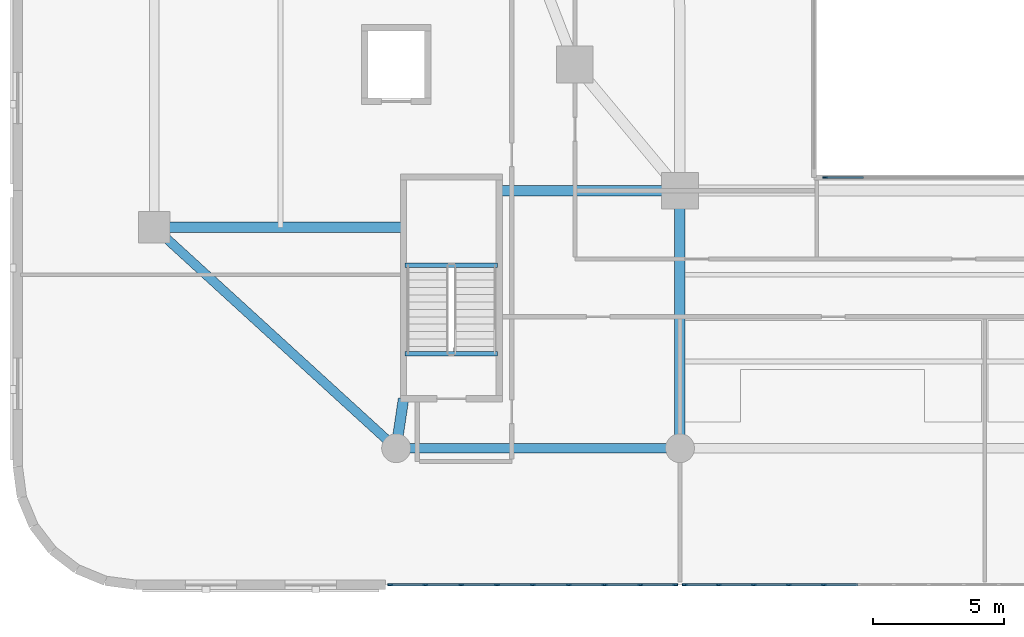
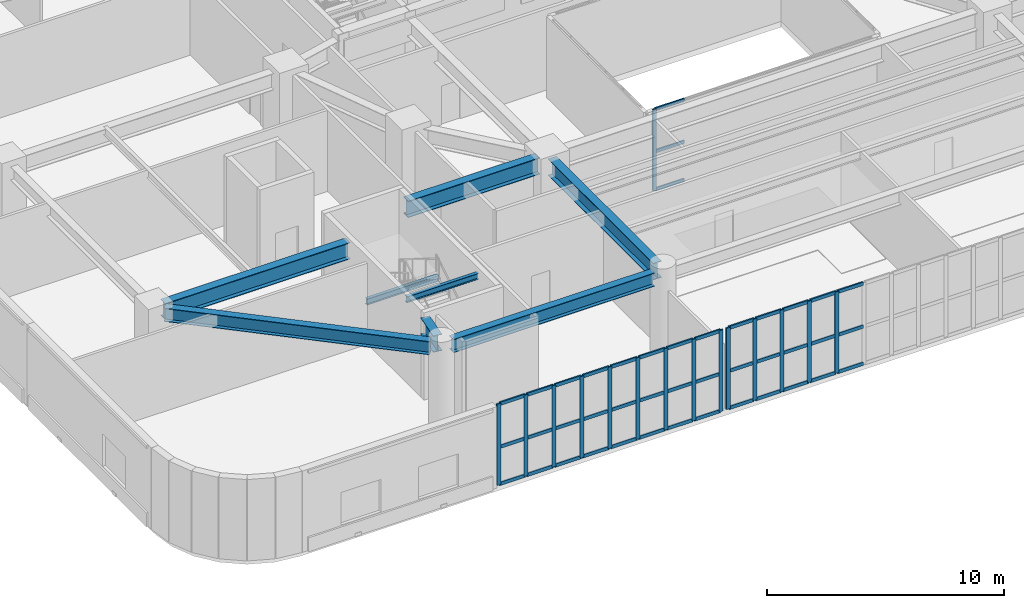
# One storey, part 3 of 25: 57 members, 8 beams, 3 elements without a shape of their own.
"""IFC4 building model written with IfcOpenShell, lengths in metres."""

import ifcopenshell
import ifcopenshell.guid

model = None  # the IFC model being written
_history = None  # IfcOwnerHistory: only IFC2X3 demands one
_inside = {}  # id of a spatial element -> (the spatial element, [elements in it])
_under = {}  # id of a project, library or spatial element -> (it, [spatial elements below it])
_declared = {}  # id of a project -> (the project, [libraries it declares])
_typed = {}  # id of a type object -> (the type object, [elements of that type])
_made_of = {}  # id of a material, layer set ... -> (it, [elements and type objects made of it])


def new_model(schema):
    """Start an empty IFC model of exactly this schema.

    Asked for "IFC4X3", IfcOpenShell would pick the latest addendum, in which some entities
    have other attributes; the version numbers below select the first issue.
    IFC2X3 requires an IfcOwnerHistory on every rooted entity: one is made here for all.
    """
    global model, _history
    if schema == "IFC4X3":
        model = ifcopenshell.file(schema_version=(4, 3, 0, 0))
    else:
        model = ifcopenshell.file(schema=schema)
    _inside.clear()
    _under.clear()
    _declared.clear()
    _typed.clear()
    _made_of.clear()
    _history = None
    if model.schema == "IFC2X3":
        org = make("IfcOrganization", Name="unknown")
        user = make(
            "IfcPersonAndOrganization",
            ThePerson=make("IfcPerson", FamilyName="unknown"),
            TheOrganization=org,
        )
        app = make(
            "IfcApplication",
            ApplicationDeveloper=org,
            Version="unknown",
            ApplicationFullName="unknown",
            ApplicationIdentifier="unknown",
        )
        _history = make(
            "IfcOwnerHistory",
            OwningUser=user,
            OwningApplication=app,
            ChangeAction="ADDED",
            CreationDate=0,
        )
    return model


def make(cls, **values):
    """One entity of the class cls with the attributes given. An attribute that is None is left unset."""
    return model.create_entity(
        cls, **{name: value for name, value in values.items() if value is not None}
    )


def rooted(cls, **values):
    """An entity with a GlobalId (a new one), such as an element, a storey or a relation."""
    return make(cls, GlobalId=ifcopenshell.guid.new(), OwnerHistory=_history, **values)


def si_unit(unit_type, name, prefix=None):
    """IfcSIUnit, for example si_unit("LENGTHUNIT", "METRE", prefix="MILLI")."""
    return make("IfcSIUnit", UnitType=unit_type, Prefix=prefix, Name=name)


def assignment(units):
    """IfcUnitAssignment: the units of a project."""
    return None if units is None else make("IfcUnitAssignment", Units=units)


def point(xyz):
    """IfcCartesianPoint."""
    return None if xyz is None else make("IfcCartesianPoint", Coordinates=xyz)


def direction(xyz):
    """IfcDirection."""
    return None if xyz is None else make("IfcDirection", DirectionRatios=xyz)


def frame(location, z_axis=None, x_axis=None):
    """IfcAxis2Placement3D, a coordinate frame: its origin and axes. An axis left out is left unset."""
    return make(
        "IfcAxis2Placement3D",
        Location=point(location),
        Axis=direction(z_axis),
        RefDirection=direction(x_axis),
    )


def frame_2d(location, x_axis=None):
    """IfcAxis2Placement2D, a coordinate frame in the plane: its origin and x axis."""
    return make(
        "IfcAxis2Placement2D", Location=point(location), RefDirection=direction(x_axis)
    )


def origin():
    """The frame at (0, 0, 0) with its axes left unset."""
    return frame((0.0, 0.0, 0.0))


def origin_2d():
    """The frame at (0, 0) in the plane with its x axis left unset."""
    return frame_2d((0.0, 0.0))


def place(relative_to, where):
    """IfcLocalPlacement: puts the frame where relative to a parent placement (None: the world)."""
    return make(
        "IfcLocalPlacement", PlacementRelTo=relative_to, RelativePlacement=where
    )


def context(
    kind, dimensions, precision=None, world=None, true_north=None, identifier=None
):
    """IfcGeometricRepresentationContext, for example the 3D "Model" context."""
    return make(
        "IfcGeometricRepresentationContext",
        ContextIdentifier=identifier,
        ContextType=kind,
        CoordinateSpaceDimension=dimensions,
        Precision=precision,
        WorldCoordinateSystem=world,
        TrueNorth=true_north,
    )


def subcontext(parent, identifier, kind, view, scale=None):
    """IfcGeometricRepresentationSubContext, for example "Body" below "Model"."""
    return make(
        "IfcGeometricRepresentationSubContext",
        ContextIdentifier=identifier,
        ContextType=kind,
        ParentContext=parent,
        TargetScale=scale,
        TargetView=view,
    )


def project(units=None, contexts=None):
    """IfcProject with its units and contexts."""
    return rooted(
        "IfcProject",
        Name="project",
        RepresentationContexts=contexts,
        UnitsInContext=assignment(units),
    )


def spatial(cls, under=None, at=None, **own):
    """A site, building, storey or space (cls), placed at a placement, below another one or the project."""
    s = rooted(cls, ObjectPlacement=at, **own)
    if under is not None:
        _under.setdefault(under.id(), (under, []))[1].append(s)
    return s


def profile(cls, at=None, kind="AREA", **sizes):
    """A parametric profile (cls). Its sizes go by their IFC names, for example OverallWidth=200.0."""
    return make(cls, ProfileType=kind, Position=at, **sizes)


def rectangle(**sizes):
    """IfcRectangleProfileDef."""
    return profile("IfcRectangleProfileDef", **sizes)


def i_section(**sizes):
    """IfcIShapeProfileDef."""
    return profile("IfcIShapeProfileDef", **sizes)


def extrude(swept, where, along, depth):
    """IfcExtrudedAreaSolid: the profile swept, set in the frame where, extruded along a direction by depth."""
    return make(
        "IfcExtrudedAreaSolid",
        SweptArea=swept,
        Position=where,
        ExtrudedDirection=direction(along),
        Depth=depth,
    )


def shape(context_of_items, identifier, shape_type, items):
    """IfcShapeRepresentation: the items that make up one representation, for example the "Body"."""
    return make(
        "IfcShapeRepresentation",
        ContextOfItems=context_of_items,
        RepresentationIdentifier=identifier,
        RepresentationType=shape_type,
        Items=items,
    )


def material(Name=None, Category=None):
    """IfcMaterial."""
    return make("IfcMaterial", Name=Name, Category=Category)


def material_profile(
    of_material, cross_section, Name=None, Category=None, Priority=None
):
    """IfcMaterialProfile: a cross section and its material."""
    return make(
        "IfcMaterialProfile",
        Name=Name,
        Material=of_material,
        Profile=cross_section,
        Priority=Priority,
        Category=Category,
    )


def profile_set(profiles, Name=None, composite=None):
    """IfcMaterialProfileSet."""
    return make(
        "IfcMaterialProfileSet",
        Name=Name,
        MaterialProfiles=profiles,
        CompositeProfile=composite,
    )


def made_of(thing, what):
    """Note that an element or type object is made of a material, layer set ...; save() writes the relation."""
    if what is not None:
        _made_of.setdefault(what.id(), (what, []))[1].append(thing)
    return thing


def type_object(cls, material=None, **own):
    """A type object (cls), such as IfcWallType, which elements share."""
    return made_of(rooted(cls, **own), material)


def element(
    cls,
    number,
    at=None,
    inside=None,
    cuts=None,
    type_object=None,
    material=None,
    context=None,
    identifier="Body",
    shape_type=None,
    held_by="IfcProductDefinitionShape",
    body=None,
    shapes=None,
    **own,
):
    """One element of the class cls, such as IfcWall. Its Tag is "e" and its number.

    at: its placement. inside: the storey or other place that contains it. cuts: it is an
    opening in that element (IfcRelVoidsElement). A single representation is given by context,
    identifier, shape_type and body (its items); several are given by shapes. held_by: the class
    of the entity that holds the representations. save() writes the other relations.
    """
    e = rooted(cls, Tag="e%d" % number, ObjectPlacement=at, **own)
    if body is not None:
        shapes = [shape(context, identifier, shape_type, body)]
    if shapes is not None:
        e.Representation = make(held_by, Representations=shapes)
    if inside is not None:
        _inside.setdefault(inside.id(), (inside, []))[1].append(e)
    if cuts is not None:
        rooted(
            "IfcRelVoidsElement", RelatingBuildingElement=cuts, RelatedOpeningElement=e
        )
    if type_object is not None:
        _typed.setdefault(type_object.id(), (type_object, []))[1].append(e)
    return made_of(e, material)


def aggregate(whole, parts):
    """IfcRelAggregates: a whole, such as a stair, and the parts it consists of."""
    return rooted("IfcRelAggregates", RelatingObject=whole, RelatedObjects=parts)


def save(model, path):
    """Write the relations noted so far, then the file.

    IfcRelAggregates (storeys below a building ...), IfcRelContainedInSpatialStructure (elements
    in a storey), IfcRelDefinesByType, IfcRelAssociatesMaterial and IfcRelDeclares: one each for
    every whole, place, type object, material and project.
    """
    for whole, parts in _under.values():
        aggregate(whole, parts)
    for where, things in _inside.values():
        rooted(
            "IfcRelContainedInSpatialStructure",
            RelatedElements=things,
            RelatingStructure=where,
        )
    for kind, things in _typed.values():
        rooted("IfcRelDefinesByType", RelatedObjects=things, RelatingType=kind)
    for what, things in _made_of.values():
        rooted("IfcRelAssociatesMaterial", RelatedObjects=things, RelatingMaterial=what)
    for by, libraries in _declared.values():
        rooted("IfcRelDeclares", RelatingContext=by, RelatedDefinitions=libraries)
    model.write(path)


model = new_model("IFC4")

# Units and contexts
model_context = context("Model", 3, precision=1e-05, world=origin(), true_north=direction((0.0, 1.0)))
body_context = subcontext(model_context, "Body", "Model", "MODEL_VIEW")
ifc_project = project(units=[si_unit("LENGTHUNIT", "METRE"), si_unit("AREAUNIT", "SQUARE_METRE"), si_unit("VOLUMEUNIT", "CUBIC_METRE"), si_unit("PLANEANGLEUNIT", "RADIAN"), si_unit("MASSUNIT", "GRAM", prefix="KILO")], contexts=[model_context])

# Site, building, storey
site_placement = place(None, origin())
site = spatial("IfcSite", under=ifc_project, at=site_placement, CompositionType="ELEMENT")
building_placement = place(site_placement, origin())
building = spatial("IfcBuilding", under=site, at=building_placement, Name="Haldorwick Loom Tower", CompositionType="ELEMENT")
storey_placement = place(building_placement, frame((0.0, 0.0, 10.5)))
storey = spatial("IfcBuildingStorey", under=building, at=storey_placement, Name="L02", CompositionType="ELEMENT", Elevation=10.5)

# Curtain wall, members
ifc_material_1 = material(Name="Thermally Broken Anodized Aluminium Curtain Wall Framing", Category="aluminium")
curtain_wall_type_1 = type_object("IfcCurtainWallType", Name="ARC-CW-02", PredefinedType="NOTDEFINED", material=ifc_material_1)
curtain_wall_1_placement = place(storey_placement, origin())
curtain_wall_1 = element("IfcCurtainWall", 1, at=curtain_wall_1_placement, inside=storey, type_object=curtain_wall_type_1, Name="L02 Facade Curtain Wall CW-02 Bay 39", PredefinedType="NOTDEFINED")
ifc_material_profile_1 = material_profile(ifc_material_1, rectangle(XDim=0.070068359375, YDim=0.195068359375, at=origin_2d()), Name="ALU_MUL_70X195", Category="aluminium")
ifc_profile_set_1 = profile_set([ifc_material_profile_1], Name="Thermally Broken Anodized Aluminium Curtain Wall Framing")
member_type_1 = type_object("IfcMemberType", Name="ARC-CWM-02", PredefinedType="MULLION", material=ifc_profile_set_1)
member_1_placement = place(storey_placement, frame((14.175048828125, 0.0, 0.0), z_axis=(0.0, 0.0, 1.0), x_axis=(0.0, 1.0, 0.0)))
member_1 = element("IfcMember", 2, at=member_1_placement, type_object=member_type_1, Name="CW-02 mullion 1", PredefinedType="MULLION", context=body_context, shape_type="SweptSolid", body=[
    extrude(rectangle(XDim=0.070068359375, YDim=0.195068359375, at=origin_2d()), origin(), (0.0, 0.0, 1.0), 4.199951171875),
])
member_2_placement = place(storey_placement, frame((15.5048828125, 0.0, 0.0), z_axis=(0.0, 0.0, 1.0), x_axis=(0.0, 1.0, 0.0)))
member_2 = element("IfcMember", 3, at=member_2_placement, type_object=member_type_1, Name="CW-02 mullion 2", PredefinedType="MULLION", context=body_context, shape_type="SweptSolid", body=[
    extrude(rectangle(XDim=0.070068359375, YDim=0.195068359375, at=origin_2d()), origin(), (0.0, 0.0, 1.0), 4.199951171875),
])
member_3_placement = place(storey_placement, frame((16.8701171875, 0.0, 0.0), z_axis=(0.0, 0.0, 1.0), x_axis=(0.0, 1.0, 0.0)))
member_3 = element("IfcMember", 4, at=member_3_placement, type_object=member_type_1, Name="CW-02 mullion 3", PredefinedType="MULLION", context=body_context, shape_type="SweptSolid", body=[
    extrude(rectangle(XDim=0.070068359375, YDim=0.195068359375, at=origin_2d()), origin(), (0.0, 0.0, 1.0), 4.199951171875),
])
member_4_placement = place(storey_placement, frame((18.235107421875, 0.0, 0.0), z_axis=(0.0, 0.0, 1.0), x_axis=(0.0, 1.0, 0.0)))
member_4 = element("IfcMember", 5, at=member_4_placement, type_object=member_type_1, Name="CW-02 mullion 4", PredefinedType="MULLION", context=body_context, shape_type="SweptSolid", body=[
    extrude(rectangle(XDim=0.070068359375, YDim=0.195068359375, at=origin_2d()), origin(), (0.0, 0.0, 1.0), 4.199951171875),
])
member_5_placement = place(storey_placement, frame((19.60009765625, 0.0, 0.0), z_axis=(0.0, 0.0, 1.0), x_axis=(0.0, 1.0, 0.0)))
member_5 = element("IfcMember", 6, at=member_5_placement, type_object=member_type_1, Name="CW-02 mullion 5", PredefinedType="MULLION", context=body_context, shape_type="SweptSolid", body=[
    extrude(rectangle(XDim=0.070068359375, YDim=0.195068359375, at=origin_2d()), origin(), (0.0, 0.0, 1.0), 4.199951171875),
])
member_6_placement = place(storey_placement, frame((20.965087890625, 0.0, 0.0), z_axis=(0.0, 0.0, 1.0), x_axis=(0.0, 1.0, 0.0)))
member_6 = element("IfcMember", 7, at=member_6_placement, type_object=member_type_1, Name="CW-02 mullion 6", PredefinedType="MULLION", context=body_context, shape_type="SweptSolid", body=[
    extrude(rectangle(XDim=0.070068359375, YDim=0.195068359375, at=origin_2d()), origin(), (0.0, 0.0, 1.0), 4.199951171875),
])
member_7_placement = place(storey_placement, frame((22.330078125, 0.0, 0.0), z_axis=(0.0, 0.0, 1.0), x_axis=(0.0, 1.0, 0.0)))
member_7 = element("IfcMember", 8, at=member_7_placement, type_object=member_type_1, Name="CW-02 mullion 7", PredefinedType="MULLION", context=body_context, shape_type="SweptSolid", body=[
    extrude(rectangle(XDim=0.070068359375, YDim=0.195068359375, at=origin_2d()), origin(), (0.0, 0.0, 1.0), 4.199951171875),
])
member_8_placement = place(storey_placement, frame((23.695068359375, 0.0, 0.0), z_axis=(0.0, 0.0, 1.0), x_axis=(0.0, 1.0, 0.0)))
member_8 = element("IfcMember", 9, at=member_8_placement, type_object=member_type_1, Name="CW-02 mullion 8", PredefinedType="MULLION", context=body_context, shape_type="SweptSolid", body=[
    extrude(rectangle(XDim=0.070068359375, YDim=0.195068359375, at=origin_2d()), origin(), (0.0, 0.0, 1.0), 4.199951171875),
])
member_9_placement = place(storey_placement, frame((25.02490234375, 0.0, 0.0), z_axis=(0.0, 0.0, 1.0), x_axis=(0.0, 1.0, 0.0)))
member_9 = element("IfcMember", 10, at=member_9_placement, type_object=member_type_1, Name="CW-02 mullion 9", PredefinedType="MULLION", context=body_context, shape_type="SweptSolid", body=[
    extrude(rectangle(XDim=0.070068359375, YDim=0.195068359375, at=origin_2d()), origin(), (0.0, 0.0, 1.0), 4.199951171875),
])

curtain_wall_2_placement = place(storey_placement, origin())
curtain_wall_2 = element("IfcCurtainWall", 11, at=curtain_wall_2_placement, inside=storey, type_object=curtain_wall_type_1, Name="L02 Facade Curtain Wall CW-02 Bay 40", PredefinedType="NOTDEFINED")
member_10_placement = place(storey_placement, frame((25.375, 0.0, 0.0), z_axis=(0.0, 0.0, 1.0), x_axis=(0.0, 1.0, 0.0)))
member_10 = element("IfcMember", 12, at=member_10_placement, type_object=member_type_1, Name="CW-02 mullion 1", PredefinedType="MULLION", context=body_context, shape_type="SweptSolid", body=[
    extrude(rectangle(XDim=0.070068359375, YDim=0.195068359375, at=origin_2d()), origin(), (0.0, 0.0, 1.0), 4.199951171875),
])
member_11_placement = place(storey_placement, frame((26.672607421875, 0.0, 0.0), z_axis=(0.0, 0.0, 1.0), x_axis=(0.0, 1.0, 0.0)))
member_11 = element("IfcMember", 13, at=member_11_placement, type_object=member_type_1, Name="CW-02 mullion 2", PredefinedType="MULLION", context=body_context, shape_type="SweptSolid", body=[
    extrude(rectangle(XDim=0.070068359375, YDim=0.195068359375, at=origin_2d()), origin(), (0.0, 0.0, 1.0), 4.199951171875),
])
member_12_placement = place(storey_placement, frame((28.0048828125, 0.0, 0.0), z_axis=(0.0, 0.0, 1.0), x_axis=(0.0, 1.0, 0.0)))
member_12 = element("IfcMember", 14, at=member_12_placement, type_object=member_type_1, Name="CW-02 mullion 3", PredefinedType="MULLION", context=body_context, shape_type="SweptSolid", body=[
    extrude(rectangle(XDim=0.070068359375, YDim=0.195068359375, at=origin_2d()), origin(), (0.0, 0.0, 1.0), 4.199951171875),
])
member_13_placement = place(storey_placement, frame((29.33740234375, 0.0, 0.0), z_axis=(0.0, 0.0, 1.0), x_axis=(0.0, 1.0, 0.0)))
member_13 = element("IfcMember", 15, at=member_13_placement, type_object=member_type_1, Name="CW-02 mullion 4", PredefinedType="MULLION", context=body_context, shape_type="SweptSolid", body=[
    extrude(rectangle(XDim=0.070068359375, YDim=0.195068359375, at=origin_2d()), origin(), (0.0, 0.0, 1.0), 4.199951171875),
])
member_14_placement = place(storey_placement, frame((30.669921875, 0.0, 0.0), z_axis=(0.0, 0.0, 1.0), x_axis=(0.0, 1.0, 0.0)))
member_14 = element("IfcMember", 16, at=member_14_placement, type_object=member_type_1, Name="CW-02 mullion 5", PredefinedType="MULLION", context=body_context, shape_type="SweptSolid", body=[
    extrude(rectangle(XDim=0.070068359375, YDim=0.195068359375, at=origin_2d()), origin(), (0.0, 0.0, 1.0), 4.199951171875),
])

# Curtain wall, member
curtain_wall_type_2 = type_object("IfcCurtainWallType", Name="ARC-CW-03", PredefinedType="NOTDEFINED", material=ifc_material_1)
curtain_wall_3_placement = place(storey_placement, origin())
curtain_wall_3 = element("IfcCurtainWall", 17, at=curtain_wall_3_placement, inside=storey, type_object=curtain_wall_type_2, Name="L02 Atrium Glazed Screen S", PredefinedType="NOTDEFINED")
ifc_material_profile_2 = material_profile(ifc_material_1, rectangle(XDim=0.06591796875, YDim=0.18505859375, at=origin_2d()), Name="ALU_MUL_66X185", Category="aluminium")
ifc_profile_set_2 = profile_set([ifc_material_profile_2], Name="Thermally Broken Anodized Aluminium Curtain Wall Framing")
member_type_2 = type_object("IfcMemberType", Name="ARC-CWM-03", PredefinedType="MULLION", material=ifc_profile_set_2)
member_15_placement = place(storey_placement, frame((30.73291015625, 15.5, 0.0), z_axis=(0.0, 0.0, 1.0), x_axis=(0.0, -1.0, 0.0)))
member_15 = element("IfcMember", 18, at=member_15_placement, type_object=member_type_2, Name="CW-03 mullion 8", PredefinedType="MULLION", context=body_context, shape_type="SweptSolid", body=[
    extrude(rectangle(XDim=0.06591796875, YDim=0.18505859375, at=origin_2d()), origin(), (0.0, 0.0, 1.0), 4.199951171875),
])

# Member
ifc_material_profile_3 = material_profile(ifc_material_1, rectangle(XDim=0.070068359375, YDim=0.175048828125, at=origin_2d()), Name="ALU_TRN_70X175", Category="aluminium")
ifc_profile_set_3 = profile_set([ifc_material_profile_3], Name="Thermally Broken Anodized Aluminium Curtain Wall Framing")
member_type_3 = type_object("IfcMemberType", Name="ARC-CWT-02", PredefinedType="USERDEFINED", material=ifc_profile_set_3)
member_16_placement = place(storey_placement, frame((14.2099609375, 0.0, 0.034912109375), z_axis=(1.0, 0.0, 0.0), x_axis=(0.0, 1.0, 0.0)))
member_16 = element("IfcMember", 19, at=member_16_placement, type_object=member_type_3, Name="CW-02 transom 1.1", ObjectType="TRANSOM", PredefinedType="USERDEFINED", context=body_context, shape_type="SweptSolid", body=[
    extrude(rectangle(XDim=0.070068359375, YDim=0.175048828125, at=origin_2d()), origin(), (0.0, 0.0, 1.0), 1.260009765625),
])

member_17_placement = place(storey_placement, frame((14.2099609375, 0.0, 1.949951171875), z_axis=(1.0, 0.0, 0.0), x_axis=(0.0, 1.0, 0.0)))
member_17 = element("IfcMember", 20, at=member_17_placement, type_object=member_type_3, Name="CW-02 transom 1.2", ObjectType="TRANSOM", PredefinedType="USERDEFINED", context=body_context, shape_type="SweptSolid", body=[
    extrude(rectangle(XDim=0.070068359375, YDim=0.175048828125, at=origin_2d()), origin(), (0.0, 0.0, 1.0), 1.260009765625),
])

member_18_placement = place(storey_placement, frame((14.2099609375, 0.0, 4.1650390625), z_axis=(1.0, 0.0, 0.0), x_axis=(0.0, 1.0, 0.0)))
member_18 = element("IfcMember", 21, at=member_18_placement, type_object=member_type_3, Name="CW-02 transom 1.3", ObjectType="TRANSOM", PredefinedType="USERDEFINED", context=body_context, shape_type="SweptSolid", body=[
    extrude(rectangle(XDim=0.070068359375, YDim=0.175048828125, at=origin_2d()), origin(), (0.0, 0.0, 1.0), 1.260009765625),
])

member_19_placement = place(storey_placement, frame((15.5400390625, 0.0, 0.034912109375), z_axis=(1.0, 0.0, 0.0), x_axis=(0.0, 1.0, 0.0)))
member_19 = element("IfcMember", 22, at=member_19_placement, type_object=member_type_3, Name="CW-02 transom 2.1", ObjectType="TRANSOM", PredefinedType="USERDEFINED", context=body_context, shape_type="SweptSolid", body=[
    extrude(rectangle(XDim=0.070068359375, YDim=0.175048828125, at=origin_2d()), origin(), (0.0, 0.0, 1.0), 1.294921875),
])

member_20_placement = place(storey_placement, frame((15.5400390625, 0.0, 1.949951171875), z_axis=(1.0, 0.0, 0.0), x_axis=(0.0, 1.0, 0.0)))
member_20 = element("IfcMember", 23, at=member_20_placement, type_object=member_type_3, Name="CW-02 transom 2.2", ObjectType="TRANSOM", PredefinedType="USERDEFINED", context=body_context, shape_type="SweptSolid", body=[
    extrude(rectangle(XDim=0.070068359375, YDim=0.175048828125, at=origin_2d()), origin(), (0.0, 0.0, 1.0), 1.294921875),
])

member_21_placement = place(storey_placement, frame((15.5400390625, 0.0, 4.1650390625), z_axis=(1.0, 0.0, 0.0), x_axis=(0.0, 1.0, 0.0)))
member_21 = element("IfcMember", 24, at=member_21_placement, type_object=member_type_3, Name="CW-02 transom 2.3", ObjectType="TRANSOM", PredefinedType="USERDEFINED", context=body_context, shape_type="SweptSolid", body=[
    extrude(rectangle(XDim=0.070068359375, YDim=0.175048828125, at=origin_2d()), origin(), (0.0, 0.0, 1.0), 1.294921875),
])

member_22_placement = place(storey_placement, frame((16.905029296875, 0.0, 0.034912109375), z_axis=(1.0, 0.0, 0.0), x_axis=(0.0, 1.0, 0.0)))
member_22 = element("IfcMember", 25, at=member_22_placement, type_object=member_type_3, Name="CW-02 transom 3.1", ObjectType="TRANSOM", PredefinedType="USERDEFINED", context=body_context, shape_type="SweptSolid", body=[
    extrude(rectangle(XDim=0.070068359375, YDim=0.175048828125, at=origin_2d()), origin(), (0.0, 0.0, 1.0), 1.294921875),
])

member_23_placement = place(storey_placement, frame((16.905029296875, 0.0, 1.949951171875), z_axis=(1.0, 0.0, 0.0), x_axis=(0.0, 1.0, 0.0)))
member_23 = element("IfcMember", 26, at=member_23_placement, type_object=member_type_3, Name="CW-02 transom 3.2", ObjectType="TRANSOM", PredefinedType="USERDEFINED", context=body_context, shape_type="SweptSolid", body=[
    extrude(rectangle(XDim=0.070068359375, YDim=0.175048828125, at=origin_2d()), origin(), (0.0, 0.0, 1.0), 1.294921875),
])

member_24_placement = place(storey_placement, frame((16.905029296875, 0.0, 4.1650390625), z_axis=(1.0, 0.0, 0.0), x_axis=(0.0, 1.0, 0.0)))
member_24 = element("IfcMember", 27, at=member_24_placement, type_object=member_type_3, Name="CW-02 transom 3.3", ObjectType="TRANSOM", PredefinedType="USERDEFINED", context=body_context, shape_type="SweptSolid", body=[
    extrude(rectangle(XDim=0.070068359375, YDim=0.175048828125, at=origin_2d()), origin(), (0.0, 0.0, 1.0), 1.294921875),
])

member_25_placement = place(storey_placement, frame((18.27001953125, 0.0, 0.034912109375), z_axis=(1.0, 0.0, 0.0), x_axis=(0.0, 1.0, 0.0)))
member_25 = element("IfcMember", 28, at=member_25_placement, type_object=member_type_3, Name="CW-02 transom 4.1", ObjectType="TRANSOM", PredefinedType="USERDEFINED", context=body_context, shape_type="SweptSolid", body=[
    extrude(rectangle(XDim=0.070068359375, YDim=0.175048828125, at=origin_2d()), origin(), (0.0, 0.0, 1.0), 1.294921875),
])

member_26_placement = place(storey_placement, frame((18.27001953125, 0.0, 1.949951171875), z_axis=(1.0, 0.0, 0.0), x_axis=(0.0, 1.0, 0.0)))
member_26 = element("IfcMember", 29, at=member_26_placement, type_object=member_type_3, Name="CW-02 transom 4.2", ObjectType="TRANSOM", PredefinedType="USERDEFINED", context=body_context, shape_type="SweptSolid", body=[
    extrude(rectangle(XDim=0.070068359375, YDim=0.175048828125, at=origin_2d()), origin(), (0.0, 0.0, 1.0), 1.294921875),
])

member_27_placement = place(storey_placement, frame((18.27001953125, 0.0, 4.1650390625), z_axis=(1.0, 0.0, 0.0), x_axis=(0.0, 1.0, 0.0)))
member_27 = element("IfcMember", 30, at=member_27_placement, type_object=member_type_3, Name="CW-02 transom 4.3", ObjectType="TRANSOM", PredefinedType="USERDEFINED", context=body_context, shape_type="SweptSolid", body=[
    extrude(rectangle(XDim=0.070068359375, YDim=0.175048828125, at=origin_2d()), origin(), (0.0, 0.0, 1.0), 1.294921875),
])

member_28_placement = place(storey_placement, frame((19.635009765625, 0.0, 0.034912109375), z_axis=(1.0, 0.0, 0.0), x_axis=(0.0, 1.0, 0.0)))
member_28 = element("IfcMember", 31, at=member_28_placement, type_object=member_type_3, Name="CW-02 transom 5.1", ObjectType="TRANSOM", PredefinedType="USERDEFINED", context=body_context, shape_type="SweptSolid", body=[
    extrude(rectangle(XDim=0.070068359375, YDim=0.175048828125, at=origin_2d()), origin(), (0.0, 0.0, 1.0), 1.294921875),
])

member_29_placement = place(storey_placement, frame((19.635009765625, 0.0, 1.949951171875), z_axis=(1.0, 0.0, 0.0), x_axis=(0.0, 1.0, 0.0)))
member_29 = element("IfcMember", 32, at=member_29_placement, type_object=member_type_3, Name="CW-02 transom 5.2", ObjectType="TRANSOM", PredefinedType="USERDEFINED", context=body_context, shape_type="SweptSolid", body=[
    extrude(rectangle(XDim=0.070068359375, YDim=0.175048828125, at=origin_2d()), origin(), (0.0, 0.0, 1.0), 1.294921875),
])

member_30_placement = place(storey_placement, frame((19.635009765625, 0.0, 4.1650390625), z_axis=(1.0, 0.0, 0.0), x_axis=(0.0, 1.0, 0.0)))
member_30 = element("IfcMember", 33, at=member_30_placement, type_object=member_type_3, Name="CW-02 transom 5.3", ObjectType="TRANSOM", PredefinedType="USERDEFINED", context=body_context, shape_type="SweptSolid", body=[
    extrude(rectangle(XDim=0.070068359375, YDim=0.175048828125, at=origin_2d()), origin(), (0.0, 0.0, 1.0), 1.294921875),
])

member_31_placement = place(storey_placement, frame((21.0, 0.0, 0.034912109375), z_axis=(1.0, 0.0, 0.0), x_axis=(0.0, 1.0, 0.0)))
member_31 = element("IfcMember", 34, at=member_31_placement, type_object=member_type_3, Name="CW-02 transom 6.1", ObjectType="TRANSOM", PredefinedType="USERDEFINED", context=body_context, shape_type="SweptSolid", body=[
    extrude(rectangle(XDim=0.070068359375, YDim=0.175048828125, at=origin_2d()), origin(), (0.0, 0.0, 1.0), 1.294921875),
])

member_32_placement = place(storey_placement, frame((21.0, 0.0, 1.949951171875), z_axis=(1.0, 0.0, 0.0), x_axis=(0.0, 1.0, 0.0)))
member_32 = element("IfcMember", 35, at=member_32_placement, type_object=member_type_3, Name="CW-02 transom 6.2", ObjectType="TRANSOM", PredefinedType="USERDEFINED", context=body_context, shape_type="SweptSolid", body=[
    extrude(rectangle(XDim=0.070068359375, YDim=0.175048828125, at=origin_2d()), origin(), (0.0, 0.0, 1.0), 1.294921875),
])

member_33_placement = place(storey_placement, frame((21.0, 0.0, 4.1650390625), z_axis=(1.0, 0.0, 0.0), x_axis=(0.0, 1.0, 0.0)))
member_33 = element("IfcMember", 36, at=member_33_placement, type_object=member_type_3, Name="CW-02 transom 6.3", ObjectType="TRANSOM", PredefinedType="USERDEFINED", context=body_context, shape_type="SweptSolid", body=[
    extrude(rectangle(XDim=0.070068359375, YDim=0.175048828125, at=origin_2d()), origin(), (0.0, 0.0, 1.0), 1.294921875),
])

member_34_placement = place(storey_placement, frame((22.364990234375, 0.0, 0.034912109375), z_axis=(1.0, 0.0, 0.0), x_axis=(0.0, 1.0, 0.0)))
member_34 = element("IfcMember", 37, at=member_34_placement, type_object=member_type_3, Name="CW-02 transom 7.1", ObjectType="TRANSOM", PredefinedType="USERDEFINED", context=body_context, shape_type="SweptSolid", body=[
    extrude(rectangle(XDim=0.070068359375, YDim=0.175048828125, at=origin_2d()), origin(), (0.0, 0.0, 1.0), 1.294921875),
])

member_35_placement = place(storey_placement, frame((22.364990234375, 0.0, 1.949951171875), z_axis=(1.0, 0.0, 0.0), x_axis=(0.0, 1.0, 0.0)))
member_35 = element("IfcMember", 38, at=member_35_placement, type_object=member_type_3, Name="CW-02 transom 7.2", ObjectType="TRANSOM", PredefinedType="USERDEFINED", context=body_context, shape_type="SweptSolid", body=[
    extrude(rectangle(XDim=0.070068359375, YDim=0.175048828125, at=origin_2d()), origin(), (0.0, 0.0, 1.0), 1.294921875),
])

member_36_placement = place(storey_placement, frame((22.364990234375, 0.0, 4.1650390625), z_axis=(1.0, 0.0, 0.0), x_axis=(0.0, 1.0, 0.0)))
member_36 = element("IfcMember", 39, at=member_36_placement, type_object=member_type_3, Name="CW-02 transom 7.3", ObjectType="TRANSOM", PredefinedType="USERDEFINED", context=body_context, shape_type="SweptSolid", body=[
    extrude(rectangle(XDim=0.070068359375, YDim=0.175048828125, at=origin_2d()), origin(), (0.0, 0.0, 1.0), 1.294921875),
])

member_37_placement = place(storey_placement, frame((23.72998046875, 0.0, 0.034912109375), z_axis=(1.0, 0.0, 0.0), x_axis=(0.0, 1.0, 0.0)))
member_37 = element("IfcMember", 40, at=member_37_placement, type_object=member_type_3, Name="CW-02 transom 8.1", ObjectType="TRANSOM", PredefinedType="USERDEFINED", context=body_context, shape_type="SweptSolid", body=[
    extrude(rectangle(XDim=0.070068359375, YDim=0.175048828125, at=origin_2d()), origin(), (0.0, 0.0, 1.0), 1.260009765625),
])

member_38_placement = place(storey_placement, frame((23.72998046875, 0.0, 1.949951171875), z_axis=(1.0, 0.0, 0.0), x_axis=(0.0, 1.0, 0.0)))
member_38 = element("IfcMember", 41, at=member_38_placement, type_object=member_type_3, Name="CW-02 transom 8.2", ObjectType="TRANSOM", PredefinedType="USERDEFINED", context=body_context, shape_type="SweptSolid", body=[
    extrude(rectangle(XDim=0.070068359375, YDim=0.175048828125, at=origin_2d()), origin(), (0.0, 0.0, 1.0), 1.260009765625),
])

member_39_placement = place(storey_placement, frame((23.72998046875, 0.0, 4.1650390625), z_axis=(1.0, 0.0, 0.0), x_axis=(0.0, 1.0, 0.0)))
member_39 = element("IfcMember", 42, at=member_39_placement, type_object=member_type_3, Name="CW-02 transom 8.3", ObjectType="TRANSOM", PredefinedType="USERDEFINED", context=body_context, shape_type="SweptSolid", body=[
    extrude(rectangle(XDim=0.070068359375, YDim=0.175048828125, at=origin_2d()), origin(), (0.0, 0.0, 1.0), 1.260009765625),
])

aggregate(curtain_wall_1, [member_1, member_2, member_3, member_4, member_5, member_6, member_7, member_8, member_9, member_16, member_17, member_18, member_19, member_20, member_21, member_22, member_23, member_24, member_25, member_26, member_27, member_28, member_29, member_30, member_31, member_32, member_33, member_34, member_35, member_36, member_37, member_38, member_39])

member_40_placement = place(storey_placement, frame((25.409912109375, 0.0, 0.034912109375), z_axis=(1.0, 0.0, 0.0), x_axis=(0.0, 1.0, 0.0)))
member_40 = element("IfcMember", 43, at=member_40_placement, type_object=member_type_3, Name="CW-02 transom 1.1", ObjectType="TRANSOM", PredefinedType="USERDEFINED", context=body_context, shape_type="SweptSolid", body=[
    extrude(rectangle(XDim=0.070068359375, YDim=0.175048828125, at=origin_2d()), origin(), (0.0, 0.0, 1.0), 1.2275390625),
])

member_41_placement = place(storey_placement, frame((25.409912109375, 0.0, 1.949951171875), z_axis=(1.0, 0.0, 0.0), x_axis=(0.0, 1.0, 0.0)))
member_41 = element("IfcMember", 44, at=member_41_placement, type_object=member_type_3, Name="CW-02 transom 1.2", ObjectType="TRANSOM", PredefinedType="USERDEFINED", context=body_context, shape_type="SweptSolid", body=[
    extrude(rectangle(XDim=0.070068359375, YDim=0.175048828125, at=origin_2d()), origin(), (0.0, 0.0, 1.0), 1.2275390625),
])

member_42_placement = place(storey_placement, frame((25.409912109375, 0.0, 4.1650390625), z_axis=(1.0, 0.0, 0.0), x_axis=(0.0, 1.0, 0.0)))
member_42 = element("IfcMember", 45, at=member_42_placement, type_object=member_type_3, Name="CW-02 transom 1.3", ObjectType="TRANSOM", PredefinedType="USERDEFINED", context=body_context, shape_type="SweptSolid", body=[
    extrude(rectangle(XDim=0.070068359375, YDim=0.175048828125, at=origin_2d()), origin(), (0.0, 0.0, 1.0), 1.2275390625),
])

member_43_placement = place(storey_placement, frame((26.70751953125, 0.0, 0.034912109375), z_axis=(1.0, 0.0, 0.0), x_axis=(0.0, 1.0, 0.0)))
member_43 = element("IfcMember", 46, at=member_43_placement, type_object=member_type_3, Name="CW-02 transom 2.1", ObjectType="TRANSOM", PredefinedType="USERDEFINED", context=body_context, shape_type="SweptSolid", body=[
    extrude(rectangle(XDim=0.070068359375, YDim=0.175048828125, at=origin_2d()), origin(), (0.0, 0.0, 1.0), 1.262451171875),
])

member_44_placement = place(storey_placement, frame((26.70751953125, 0.0, 1.949951171875), z_axis=(1.0, 0.0, 0.0), x_axis=(0.0, 1.0, 0.0)))
member_44 = element("IfcMember", 47, at=member_44_placement, type_object=member_type_3, Name="CW-02 transom 2.2", ObjectType="TRANSOM", PredefinedType="USERDEFINED", context=body_context, shape_type="SweptSolid", body=[
    extrude(rectangle(XDim=0.070068359375, YDim=0.175048828125, at=origin_2d()), origin(), (0.0, 0.0, 1.0), 1.262451171875),
])

member_45_placement = place(storey_placement, frame((26.70751953125, 0.0, 4.1650390625), z_axis=(1.0, 0.0, 0.0), x_axis=(0.0, 1.0, 0.0)))
member_45 = element("IfcMember", 48, at=member_45_placement, type_object=member_type_3, Name="CW-02 transom 2.3", ObjectType="TRANSOM", PredefinedType="USERDEFINED", context=body_context, shape_type="SweptSolid", body=[
    extrude(rectangle(XDim=0.070068359375, YDim=0.175048828125, at=origin_2d()), origin(), (0.0, 0.0, 1.0), 1.262451171875),
])

member_46_placement = place(storey_placement, frame((28.0400390625, 0.0, 0.034912109375), z_axis=(1.0, 0.0, 0.0), x_axis=(0.0, 1.0, 0.0)))
member_46 = element("IfcMember", 49, at=member_46_placement, type_object=member_type_3, Name="CW-02 transom 3.1", ObjectType="TRANSOM", PredefinedType="USERDEFINED", context=body_context, shape_type="SweptSolid", body=[
    extrude(rectangle(XDim=0.070068359375, YDim=0.175048828125, at=origin_2d()), origin(), (0.0, 0.0, 1.0), 1.262451171875),
])

member_47_placement = place(storey_placement, frame((28.0400390625, 0.0, 1.949951171875), z_axis=(1.0, 0.0, 0.0), x_axis=(0.0, 1.0, 0.0)))
member_47 = element("IfcMember", 50, at=member_47_placement, type_object=member_type_3, Name="CW-02 transom 3.2", ObjectType="TRANSOM", PredefinedType="USERDEFINED", context=body_context, shape_type="SweptSolid", body=[
    extrude(rectangle(XDim=0.070068359375, YDim=0.175048828125, at=origin_2d()), origin(), (0.0, 0.0, 1.0), 1.262451171875),
])

member_48_placement = place(storey_placement, frame((28.0400390625, 0.0, 4.1650390625), z_axis=(1.0, 0.0, 0.0), x_axis=(0.0, 1.0, 0.0)))
member_48 = element("IfcMember", 51, at=member_48_placement, type_object=member_type_3, Name="CW-02 transom 3.3", ObjectType="TRANSOM", PredefinedType="USERDEFINED", context=body_context, shape_type="SweptSolid", body=[
    extrude(rectangle(XDim=0.070068359375, YDim=0.175048828125, at=origin_2d()), origin(), (0.0, 0.0, 1.0), 1.262451171875),
])

member_49_placement = place(storey_placement, frame((29.37255859375, 0.0, 0.034912109375), z_axis=(1.0, 0.0, 0.0), x_axis=(0.0, 1.0, 0.0)))
member_49 = element("IfcMember", 52, at=member_49_placement, type_object=member_type_3, Name="CW-02 transom 4.1", ObjectType="TRANSOM", PredefinedType="USERDEFINED", context=body_context, shape_type="SweptSolid", body=[
    extrude(rectangle(XDim=0.070068359375, YDim=0.175048828125, at=origin_2d()), origin(), (0.0, 0.0, 1.0), 1.262451171875),
])

member_50_placement = place(storey_placement, frame((29.37255859375, 0.0, 1.949951171875), z_axis=(1.0, 0.0, 0.0), x_axis=(0.0, 1.0, 0.0)))
member_50 = element("IfcMember", 53, at=member_50_placement, type_object=member_type_3, Name="CW-02 transom 4.2", ObjectType="TRANSOM", PredefinedType="USERDEFINED", context=body_context, shape_type="SweptSolid", body=[
    extrude(rectangle(XDim=0.070068359375, YDim=0.175048828125, at=origin_2d()), origin(), (0.0, 0.0, 1.0), 1.262451171875),
])

member_51_placement = place(storey_placement, frame((29.37255859375, 0.0, 4.1650390625), z_axis=(1.0, 0.0, 0.0), x_axis=(0.0, 1.0, 0.0)))
member_51 = element("IfcMember", 54, at=member_51_placement, type_object=member_type_3, Name="CW-02 transom 4.3", ObjectType="TRANSOM", PredefinedType="USERDEFINED", context=body_context, shape_type="SweptSolid", body=[
    extrude(rectangle(XDim=0.070068359375, YDim=0.175048828125, at=origin_2d()), origin(), (0.0, 0.0, 1.0), 1.262451171875),
])

member_52_placement = place(storey_placement, frame((30.705078125, 0.0, 0.034912109375), z_axis=(1.0, 0.0, 0.0), x_axis=(0.0, 1.0, 0.0)))
member_52 = element("IfcMember", 55, at=member_52_placement, type_object=member_type_3, Name="CW-02 transom 5.1", ObjectType="TRANSOM", PredefinedType="USERDEFINED", context=body_context, shape_type="SweptSolid", body=[
    extrude(rectangle(XDim=0.070068359375, YDim=0.175048828125, at=origin_2d()), origin(), (0.0, 0.0, 1.0), 1.262451171875),
])

member_53_placement = place(storey_placement, frame((30.705078125, 0.0, 1.949951171875), z_axis=(1.0, 0.0, 0.0), x_axis=(0.0, 1.0, 0.0)))
member_53 = element("IfcMember", 56, at=member_53_placement, type_object=member_type_3, Name="CW-02 transom 5.2", ObjectType="TRANSOM", PredefinedType="USERDEFINED", context=body_context, shape_type="SweptSolid", body=[
    extrude(rectangle(XDim=0.070068359375, YDim=0.175048828125, at=origin_2d()), origin(), (0.0, 0.0, 1.0), 1.262451171875),
])

member_54_placement = place(storey_placement, frame((30.705078125, 0.0, 4.1650390625), z_axis=(1.0, 0.0, 0.0), x_axis=(0.0, 1.0, 0.0)))
member_54 = element("IfcMember", 57, at=member_54_placement, type_object=member_type_3, Name="CW-02 transom 5.3", ObjectType="TRANSOM", PredefinedType="USERDEFINED", context=body_context, shape_type="SweptSolid", body=[
    extrude(rectangle(XDim=0.070068359375, YDim=0.175048828125, at=origin_2d()), origin(), (0.0, 0.0, 1.0), 1.262451171875),
])

aggregate(curtain_wall_2, [member_10, member_11, member_12, member_13, member_14, member_40, member_41, member_42, member_43, member_44, member_45, member_46, member_47, member_48, member_49, member_50, member_51, member_52, member_53, member_54])

ifc_material_profile_4 = material_profile(ifc_material_1, rectangle(XDim=0.06591796875, YDim=0.1650390625, at=origin_2d()), Name="ALU_TRN_66X165", Category="aluminium")
ifc_profile_set_4 = profile_set([ifc_material_profile_4], Name="Thermally Broken Anodized Aluminium Curtain Wall Framing")
member_type_4 = type_object("IfcMemberType", Name="ARC-CWT-03", PredefinedType="USERDEFINED", material=ifc_profile_set_4)
member_55_placement = place(storey_placement, frame((32.181396484375, 15.5, 0.032958984375), z_axis=(-1.0, 0.0, 0.0), x_axis=(0.0, -1.0, 0.0)))
member_55 = element("IfcMember", 58, at=member_55_placement, type_object=member_type_4, Name="CW-03 transom 7.1", ObjectType="TRANSOM", PredefinedType="USERDEFINED", context=body_context, shape_type="SweptSolid", body=[
    extrude(rectangle(XDim=0.06591796875, YDim=0.1650390625, at=origin_2d()), origin(), (0.0, 0.0, 1.0), 1.415283203125),
])

member_56_placement = place(storey_placement, frame((32.181396484375, 15.5, 2.0), z_axis=(-1.0, 0.0, 0.0), x_axis=(0.0, -1.0, 0.0)))
member_56 = element("IfcMember", 59, at=member_56_placement, type_object=member_type_4, Name="CW-03 transom 7.2", ObjectType="TRANSOM", PredefinedType="USERDEFINED", context=body_context, shape_type="SweptSolid", body=[
    extrude(rectangle(XDim=0.06591796875, YDim=0.1650390625, at=origin_2d()), origin(), (0.0, 0.0, 1.0), 1.415283203125),
])

member_57_placement = place(storey_placement, frame((32.181396484375, 15.5, 4.1669921875), z_axis=(-1.0, 0.0, 0.0), x_axis=(0.0, -1.0, 0.0)))
member_57 = element("IfcMember", 60, at=member_57_placement, type_object=member_type_4, Name="CW-03 transom 7.3", ObjectType="TRANSOM", PredefinedType="USERDEFINED", context=body_context, shape_type="SweptSolid", body=[
    extrude(rectangle(XDim=0.06591796875, YDim=0.1650390625, at=origin_2d()), origin(), (0.0, 0.0, 1.0), 1.415283203125),
])

aggregate(curtain_wall_3, [member_15, member_55, member_56, member_57])

# Beams
ifc_material_2 = material(Name="Steel CSA G40.21 350W", Category="steel")
ifc_material_profile_5 = material_profile(ifc_material_2, i_section(OverallWidth=0.35498046875, OverallDepth=0.695068359375, WebThickness=0.015380859375, FlangeThickness=0.02490234375, at=origin_2d()), Name="W690X217", Category="steel")
ifc_profile_set_5 = profile_set([ifc_material_profile_5], Name="Steel CSA G40.21 350W")
beam_type_1 = type_object("IfcBeamType", Name="STR-BM-SP690", PredefinedType="SPANDREL", material=ifc_profile_set_5)
beam_1_placement = place(storey_placement, frame((5.554443359375, 13.2763671875, 3.8525390625), z_axis=(0.738482735745, -0.674272384876, 0.0), x_axis=(0.674272384876, 0.738482735745, 0.0)))
element("IfcBeam", 61, at=beam_1_placement, inside=storey, type_object=beam_type_1, Name="L02 Podium Spandrel PSP-S1", PredefinedType="SPANDREL", context=body_context, shape_type="SweptSolid", body=[
    extrude(i_section(OverallWidth=0.35498046875, OverallDepth=0.695068359375, WebThickness=0.015380859375, FlangeThickness=0.02490234375, at=origin_2d()), origin(), (0.0, 0.0, 1.0), 11.497802734375),
])
beam_2_placement = place(storey_placement, frame((14.8798828125, 5.199951171875, 3.8525390625), z_axis=(1.0, 0.0, 0.0), x_axis=(0.0, 1.0, 0.0)))
element("IfcBeam", 62, at=beam_2_placement, inside=storey, type_object=beam_type_1, Name="L02 Podium Spandrel PSP-S2", PredefinedType="SPANDREL", context=body_context, shape_type="SweptSolid", body=[
    extrude(i_section(OverallWidth=0.35498046875, OverallDepth=0.695068359375, WebThickness=0.015380859375, FlangeThickness=0.02490234375, at=origin_2d()), origin(), (0.0, 0.0, 1.0), 9.840087890625),
])
ifc_material_profile_6 = material_profile(ifc_material_2, i_section(OverallWidth=0.166015625, OverallDepth=0.31298828125, WebThickness=0.006591796875, FlangeThickness=0.01123046875, at=origin_2d()), Name="W310X45", Category="steel")
ifc_profile_set_6 = profile_set([ifc_material_profile_6], Name="Steel CSA G40.21 350W")
beam_type_2 = type_object("IfcBeamType", Name="STR-BM-STRM", PredefinedType="BEAM", material=ifc_profile_set_6)
for number, where, z_axis, x_axis, name in (
    (63, (14.739990234375, 8.800048828125, 4.04345703125), (1.0, 0.0, 0.0), (0.0, 1.0, 0.0), "L02 Stair ST-P1 Landing Edge Trimmer"),
    (64, (14.739990234375, 12.159912109375, 1.8935546875), (1.0, 0.0, 0.0), (0.0, 1.0, 0.0), "L02 Stair ST-P1 Half-Landing Trimmer 1"),
):
    element("IfcBeam", number, at=place(storey_placement, frame(where, z_axis=z_axis, x_axis=x_axis)), inside=storey, type_object=beam_type_2, Name=name, PredefinedType="BEAM", context=body_context, shape_type="SweptSolid", body=[
        extrude(i_section(OverallWidth=0.166015625, OverallDepth=0.31298828125, WebThickness=0.006591796875, FlangeThickness=0.01123046875, at=origin_2d()), origin(), (0.0, 0.0, 1.0), 3.52001953125),
    ])
ifc_material_profile_7 = material_profile(ifc_material_2, i_section(OverallWidth=0.39990234375, OverallDepth=0.85498046875, WebThickness=0.018310546875, FlangeThickness=0.029296875, at=origin_2d()), Name="W840X299", Category="steel")
ifc_profile_set_7 = profile_set([ifc_material_profile_7], Name="Steel CSA G40.21 350W")
beam_type_3 = type_object("IfcBeamType", Name="STR-BM-W840", PredefinedType="BEAM", material=ifc_profile_set_7)
beam_3_placement = place(storey_placement, frame((25.199951171875, 5.64990234375, 3.7724609375), z_axis=(0.0, 1.0, 0.0), x_axis=(-1.0, 0.0, 0.0)))
element("IfcBeam", 65, at=beam_3_placement, inside=storey, type_object=beam_type_3, Name="L02 Podium Primary Girder PG-01", PredefinedType="BEAM", context=body_context, shape_type="SweptSolid", body=[
    extrude(i_section(OverallWidth=0.39990234375, OverallDepth=0.85498046875, WebThickness=0.018310546875, FlangeThickness=0.029296875, at=origin_2d()), origin(), (0.0, 0.0, 1.0), 8.900146484375),
])
beam_4_placement = place(storey_placement, frame((5.64990234375, 13.60009765625, 3.7724609375), z_axis=(1.0, 0.0, 0.0), x_axis=(0.0, 1.0, 0.0)))
element("IfcBeam", 66, at=beam_4_placement, inside=storey, type_object=beam_type_3, Name="L02 Podium Primary Girder PG-06A", PredefinedType="BEAM", context=body_context, shape_type="SweptSolid", body=[
    extrude(i_section(OverallWidth=0.39990234375, OverallDepth=0.85498046875, WebThickness=0.018310546875, FlangeThickness=0.029296875, at=origin_2d()), origin(), (0.0, 0.0, 1.0), 9.030029296875),
])
beam_5_placement = place(storey_placement, frame((18.320068359375, 15.0, 3.7724609375), z_axis=(1.0, 0.0, 0.0), x_axis=(0.0, 1.0, 0.0)))
element("IfcBeam", 67, at=beam_5_placement, inside=storey, type_object=beam_type_3, Name="L02 Podium Primary Girder PG-06B", PredefinedType="BEAM", context=body_context, shape_type="SweptSolid", body=[
    extrude(i_section(OverallWidth=0.39990234375, OverallDepth=0.85498046875, WebThickness=0.018310546875, FlangeThickness=0.029296875, at=origin_2d()), origin(), (0.0, 0.0, 1.0), 6.429931640625),
])
beam_6_placement = place(storey_placement, frame((14.46630859375, 5.64501953125, 3.7724609375), z_axis=(0.147237749014, 0.989101129948, 0.0), x_axis=(-0.989101129948, 0.147237749014, 0.0)))
element("IfcBeam", 68, at=beam_6_placement, inside=storey, type_object=beam_type_3, Name="L02 Podium Primary Girder PG-16", PredefinedType="BEAM", context=body_context, shape_type="SweptSolid", body=[
    extrude(i_section(OverallWidth=0.39990234375, OverallDepth=0.85498046875, WebThickness=0.018310546875, FlangeThickness=0.029296875, at=origin_2d()), origin(), (0.0, 0.0, 1.0), 1.450927734375),
])

save(model, "model.ifc")
